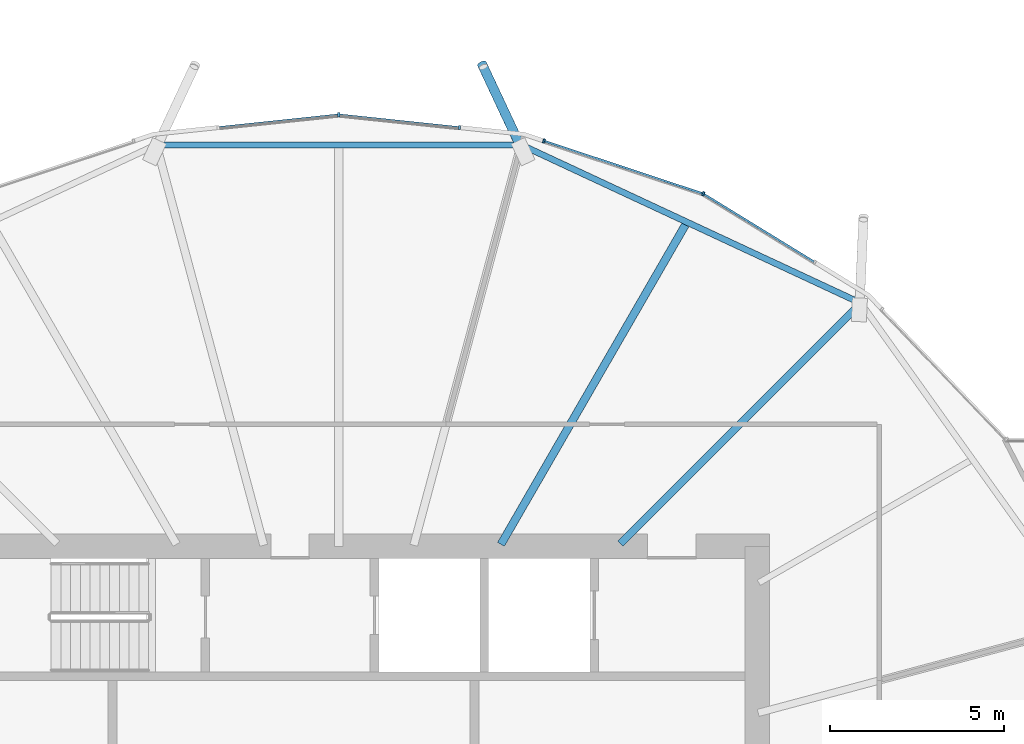
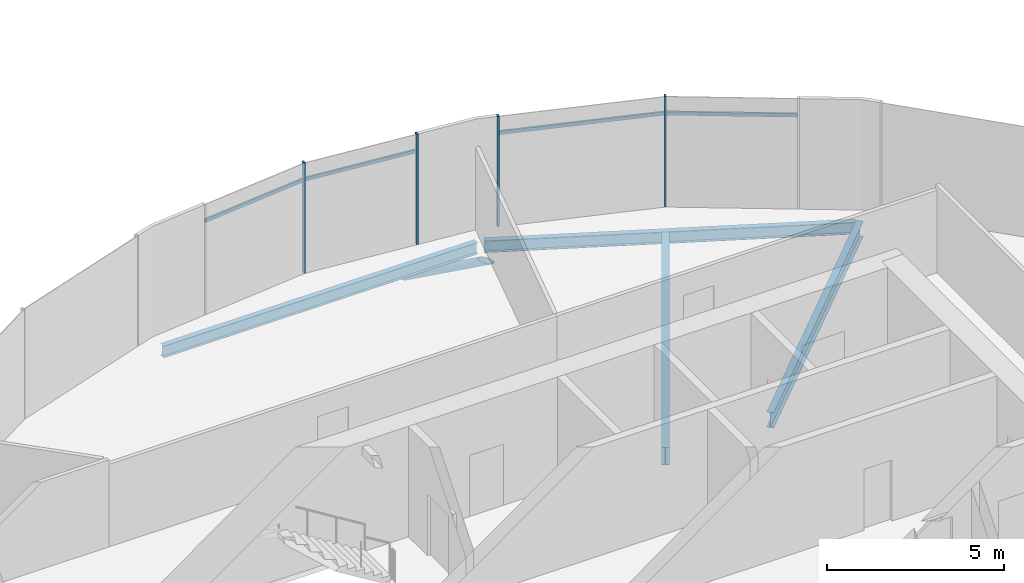
# One storey, part 10 of 39: 9 members, 4 beams, 1 element without a shape of its own.
"""IFC4 building model written with IfcOpenShell, lengths in metres."""

import ifcopenshell
import ifcopenshell.guid

model = None  # the IFC model being written
_history = None  # IfcOwnerHistory: only IFC2X3 demands one
_inside = {}  # id of a spatial element -> (the spatial element, [elements in it])
_under = {}  # id of a project, library or spatial element -> (it, [spatial elements below it])
_declared = {}  # id of a project -> (the project, [libraries it declares])
_typed = {}  # id of a type object -> (the type object, [elements of that type])
_made_of = {}  # id of a material, layer set ... -> (it, [elements and type objects made of it])


def new_model(schema):
    """Start an empty IFC model of exactly this schema.

    Asked for "IFC4X3", IfcOpenShell would pick the latest addendum, in which some entities
    have other attributes; the version numbers below select the first issue.
    IFC2X3 requires an IfcOwnerHistory on every rooted entity: one is made here for all.
    """
    global model, _history
    if schema == "IFC4X3":
        model = ifcopenshell.file(schema_version=(4, 3, 0, 0))
    else:
        model = ifcopenshell.file(schema=schema)
    _inside.clear()
    _under.clear()
    _declared.clear()
    _typed.clear()
    _made_of.clear()
    _history = None
    if model.schema == "IFC2X3":
        org = make("IfcOrganization", Name="unknown")
        user = make(
            "IfcPersonAndOrganization",
            ThePerson=make("IfcPerson", FamilyName="unknown"),
            TheOrganization=org,
        )
        app = make(
            "IfcApplication",
            ApplicationDeveloper=org,
            Version="unknown",
            ApplicationFullName="unknown",
            ApplicationIdentifier="unknown",
        )
        _history = make(
            "IfcOwnerHistory",
            OwningUser=user,
            OwningApplication=app,
            ChangeAction="ADDED",
            CreationDate=0,
        )
    return model


def make(cls, **values):
    """One entity of the class cls with the attributes given. An attribute that is None is left unset."""
    return model.create_entity(
        cls, **{name: value for name, value in values.items() if value is not None}
    )


def rooted(cls, **values):
    """An entity with a GlobalId (a new one), such as an element, a storey or a relation."""
    return make(cls, GlobalId=ifcopenshell.guid.new(), OwnerHistory=_history, **values)


def si_unit(unit_type, name, prefix=None):
    """IfcSIUnit, for example si_unit("LENGTHUNIT", "METRE", prefix="MILLI")."""
    return make("IfcSIUnit", UnitType=unit_type, Prefix=prefix, Name=name)


def assignment(units):
    """IfcUnitAssignment: the units of a project."""
    return None if units is None else make("IfcUnitAssignment", Units=units)


def point(xyz):
    """IfcCartesianPoint."""
    return None if xyz is None else make("IfcCartesianPoint", Coordinates=xyz)


def direction(xyz):
    """IfcDirection."""
    return None if xyz is None else make("IfcDirection", DirectionRatios=xyz)


def frame(location, z_axis=None, x_axis=None):
    """IfcAxis2Placement3D, a coordinate frame: its origin and axes. An axis left out is left unset."""
    return make(
        "IfcAxis2Placement3D",
        Location=point(location),
        Axis=direction(z_axis),
        RefDirection=direction(x_axis),
    )


def frame_2d(location, x_axis=None):
    """IfcAxis2Placement2D, a coordinate frame in the plane: its origin and x axis."""
    return make(
        "IfcAxis2Placement2D", Location=point(location), RefDirection=direction(x_axis)
    )


def origin():
    """The frame at (0, 0, 0) with its axes left unset."""
    return frame((0.0, 0.0, 0.0))


def origin_2d():
    """The frame at (0, 0) in the plane with its x axis left unset."""
    return frame_2d((0.0, 0.0))


def place(relative_to, where):
    """IfcLocalPlacement: puts the frame where relative to a parent placement (None: the world)."""
    return make(
        "IfcLocalPlacement", PlacementRelTo=relative_to, RelativePlacement=where
    )


def context(
    kind, dimensions, precision=None, world=None, true_north=None, identifier=None
):
    """IfcGeometricRepresentationContext, for example the 3D "Model" context."""
    return make(
        "IfcGeometricRepresentationContext",
        ContextIdentifier=identifier,
        ContextType=kind,
        CoordinateSpaceDimension=dimensions,
        Precision=precision,
        WorldCoordinateSystem=world,
        TrueNorth=true_north,
    )


def subcontext(parent, identifier, kind, view, scale=None):
    """IfcGeometricRepresentationSubContext, for example "Body" below "Model"."""
    return make(
        "IfcGeometricRepresentationSubContext",
        ContextIdentifier=identifier,
        ContextType=kind,
        ParentContext=parent,
        TargetScale=scale,
        TargetView=view,
    )


def project(units=None, contexts=None):
    """IfcProject with its units and contexts."""
    return rooted(
        "IfcProject",
        Name="project",
        RepresentationContexts=contexts,
        UnitsInContext=assignment(units),
    )


def spatial(cls, under=None, at=None, **own):
    """A site, building, storey or space (cls), placed at a placement, below another one or the project."""
    s = rooted(cls, ObjectPlacement=at, **own)
    if under is not None:
        _under.setdefault(under.id(), (under, []))[1].append(s)
    return s


def profile(cls, at=None, kind="AREA", **sizes):
    """A parametric profile (cls). Its sizes go by their IFC names, for example OverallWidth=200.0."""
    return make(cls, ProfileType=kind, Position=at, **sizes)


def rectangle(**sizes):
    """IfcRectangleProfileDef."""
    return profile("IfcRectangleProfileDef", **sizes)


def hollow_circle(**sizes):
    """IfcCircleHollowProfileDef."""
    return profile("IfcCircleHollowProfileDef", **sizes)


def i_section(**sizes):
    """IfcIShapeProfileDef."""
    return profile("IfcIShapeProfileDef", **sizes)


def extrude(swept, where, along, depth):
    """IfcExtrudedAreaSolid: the profile swept, set in the frame where, extruded along a direction by depth."""
    return make(
        "IfcExtrudedAreaSolid",
        SweptArea=swept,
        Position=where,
        ExtrudedDirection=direction(along),
        Depth=depth,
    )


def clip(a, b, op="DIFFERENCE"):
    """IfcBooleanClippingResult: the solid a cut by the half space b."""
    return make(
        "IfcBooleanClippingResult", Operator=op, FirstOperand=a, SecondOperand=b
    )


def halfspace(plane, agree):
    """IfcHalfSpaceSolid: all space on one side of the plane z = 0 of the frame plane."""
    return make(
        "IfcHalfSpaceSolid",
        BaseSurface=make("IfcPlane", Position=plane),
        AgreementFlag=agree,
    )


def shape(context_of_items, identifier, shape_type, items):
    """IfcShapeRepresentation: the items that make up one representation, for example the "Body"."""
    return make(
        "IfcShapeRepresentation",
        ContextOfItems=context_of_items,
        RepresentationIdentifier=identifier,
        RepresentationType=shape_type,
        Items=items,
    )


def material(Name=None, Category=None):
    """IfcMaterial."""
    return make("IfcMaterial", Name=Name, Category=Category)


def material_profile(
    of_material, cross_section, Name=None, Category=None, Priority=None
):
    """IfcMaterialProfile: a cross section and its material."""
    return make(
        "IfcMaterialProfile",
        Name=Name,
        Material=of_material,
        Profile=cross_section,
        Priority=Priority,
        Category=Category,
    )


def profile_set(profiles, Name=None, composite=None):
    """IfcMaterialProfileSet."""
    return make(
        "IfcMaterialProfileSet",
        Name=Name,
        MaterialProfiles=profiles,
        CompositeProfile=composite,
    )


def made_of(thing, what):
    """Note that an element or type object is made of a material, layer set ...; save() writes the relation."""
    if what is not None:
        _made_of.setdefault(what.id(), (what, []))[1].append(thing)
    return thing


def type_object(cls, material=None, **own):
    """A type object (cls), such as IfcWallType, which elements share."""
    return made_of(rooted(cls, **own), material)


def element(
    cls,
    number,
    at=None,
    inside=None,
    cuts=None,
    type_object=None,
    material=None,
    context=None,
    identifier="Body",
    shape_type=None,
    held_by="IfcProductDefinitionShape",
    body=None,
    shapes=None,
    **own,
):
    """One element of the class cls, such as IfcWall. Its Tag is "e" and its number.

    at: its placement. inside: the storey or other place that contains it. cuts: it is an
    opening in that element (IfcRelVoidsElement). A single representation is given by context,
    identifier, shape_type and body (its items); several are given by shapes. held_by: the class
    of the entity that holds the representations. save() writes the other relations.
    """
    e = rooted(cls, Tag="e%d" % number, ObjectPlacement=at, **own)
    if body is not None:
        shapes = [shape(context, identifier, shape_type, body)]
    if shapes is not None:
        e.Representation = make(held_by, Representations=shapes)
    if inside is not None:
        _inside.setdefault(inside.id(), (inside, []))[1].append(e)
    if cuts is not None:
        rooted(
            "IfcRelVoidsElement", RelatingBuildingElement=cuts, RelatedOpeningElement=e
        )
    if type_object is not None:
        _typed.setdefault(type_object.id(), (type_object, []))[1].append(e)
    return made_of(e, material)


def aggregate(whole, parts):
    """IfcRelAggregates: a whole, such as a stair, and the parts it consists of."""
    return rooted("IfcRelAggregates", RelatingObject=whole, RelatedObjects=parts)


def save(model, path):
    """Write the relations noted so far, then the file.

    IfcRelAggregates (storeys below a building ...), IfcRelContainedInSpatialStructure (elements
    in a storey), IfcRelDefinesByType, IfcRelAssociatesMaterial and IfcRelDeclares: one each for
    every whole, place, type object, material and project.
    """
    for whole, parts in _under.values():
        aggregate(whole, parts)
    for where, things in _inside.values():
        rooted(
            "IfcRelContainedInSpatialStructure",
            RelatedElements=things,
            RelatingStructure=where,
        )
    for kind, things in _typed.values():
        rooted("IfcRelDefinesByType", RelatedObjects=things, RelatingType=kind)
    for what, things in _made_of.values():
        rooted("IfcRelAssociatesMaterial", RelatedObjects=things, RelatingMaterial=what)
    for by, libraries in _declared.values():
        rooted("IfcRelDeclares", RelatingContext=by, RelatedDefinitions=libraries)
    model.write(path)


model = new_model("IFC4")

# Units and contexts
model_context = context("Model", 3, precision=1e-05, world=origin(), true_north=direction((0.0, 1.0)))
body_context = subcontext(model_context, "Body", "Model", "MODEL_VIEW")
ifc_project = project(units=[si_unit("LENGTHUNIT", "METRE"), si_unit("AREAUNIT", "SQUARE_METRE"), si_unit("VOLUMEUNIT", "CUBIC_METRE"), si_unit("PLANEANGLEUNIT", "RADIAN"), si_unit("MASSUNIT", "GRAM", prefix="KILO")], contexts=[model_context])

# Site, building, storey
site_placement = place(None, origin())
site = spatial("IfcSite", under=ifc_project, at=site_placement, CompositionType="ELEMENT")
building_placement = place(site_placement, origin())
building = spatial("IfcBuilding", under=site, at=building_placement, Name="Rimbun Link Towers", CompositionType="ELEMENT")
storey_placement = place(building_placement, frame((0.0, 0.0, 143.0)))
storey = spatial("IfcBuildingStorey", under=building, at=storey_placement, Name="L34", CompositionType="ELEMENT", Elevation=143.0)

# Curtain wall, members
ifc_material_1 = material(Name="Aluminium 6063-T6 and low-iron glass", Category="aluminium")
curtain_wall_type = type_object("IfcCurtainWallType", Name="CW4 link block wall", PredefinedType="NOTDEFINED", material=ifc_material_1)
curtain_wall_placement = place(storey_placement, origin())
curtain_wall = element("IfcCurtainWall", 1, at=curtain_wall_placement, inside=storey, type_object=curtain_wall_type, Name="CW4 L34 T1", PredefinedType="NOTDEFINED")
ifc_material_2 = material(Name="Aluminium 6063-T6", Category="aluminium")
ifc_material_profile_1 = material_profile(ifc_material_2, rectangle(XDim=0.1201171875, YDim=0.06005859375, at=origin_2d()), Name="MULLION 60X120")
ifc_profile_set_1 = profile_set([ifc_material_profile_1], Name="Aluminium 6063-T6")
member_type_1 = type_object("IfcMemberType", Name="CW4 mullion 60X120", PredefinedType="MULLION", material=ifc_profile_set_1)
member_1_placement = place(storey_placement, frame((-21.29931640625, 18.11181640625, 0.0), z_axis=(0.0, 0.0, 1.0), x_axis=(0.421697332152, 0.906736654192, 0.0)))
member_1 = element("IfcMember", 2, at=member_1_placement, type_object=member_type_1, Name="CW4 mullion", PredefinedType="MULLION", context=body_context, shape_type="SweptSolid", body=[
    extrude(rectangle(XDim=0.1201171875, YDim=0.06005859375, at=origin_2d()), origin(), (0.0, 0.0, 1.0), 3.800048828125),
])
member_2_placement = place(storey_placement, frame((-25.867431640625, 19.626220703125, 0.0), z_axis=(0.0, 0.0, 1.0), x_axis=(0.314567961741, 0.949234953763, 0.0)))
member_2 = element("IfcMember", 3, at=member_2_placement, type_object=member_type_1, Name="CW4 mullion", PredefinedType="MULLION", context=body_context, shape_type="SweptSolid", body=[
    extrude(rectangle(XDim=0.1201171875, YDim=0.06005859375, at=origin_2d()), origin(), (0.0, 0.0, 1.0), 3.800048828125),
])
member_3_placement = place(storey_placement, frame((-31.75, 20.37548828125, 0.0), z_axis=(0.0, 0.0, 1.0), x_axis=(0.0, 1.0, 0.0)))
member_3 = element("IfcMember", 4, at=member_3_placement, type_object=member_type_1, Name="CW4 mullion", PredefinedType="MULLION", context=body_context, shape_type="SweptSolid", body=[
    extrude(rectangle(XDim=0.1201171875, YDim=0.06005859375, at=origin_2d()), origin(), (0.0, 0.0, 1.0), 3.800048828125),
])
member_4_placement = place(storey_placement, frame((-28.28955078125, 20.011474609375, 0.0), z_axis=(0.0, 0.0, 1.0), x_axis=(0.104745411125, 0.994499069305, 0.0)))
member_4 = element("IfcMember", 5, at=member_4_placement, type_object=member_type_1, Name="CW4 mullion", PredefinedType="MULLION", context=body_context, shape_type="SweptSolid", body=[
    extrude(rectangle(XDim=0.1201171875, YDim=0.06005859375, at=origin_2d()), origin(), (0.0, 0.0, 1.0), 3.800048828125),
])
ifc_material_3 = material(Name="Aluminium 6063-T6", Category="aluminium")
ifc_material_profile_2 = material_profile(ifc_material_3, rectangle(XDim=0.06005859375, YDim=0.1201171875, at=origin_2d()), Name="TRANSOM 60X120")
ifc_profile_set_2 = profile_set([ifc_material_profile_2], Name="Aluminium 6063-T6")
member_type_2 = type_object("IfcMemberType", Name="CW4 transom 60X120", PredefinedType="USERDEFINED", material=ifc_profile_set_2)
member_5_placement = place(storey_placement, frame((-21.2685546875, 18.09130859375, 3.199951171875), z_axis=(0.85218054514, -0.523247855691, 0.0), x_axis=(0.523247855691, 0.85218054514, 0.0)))
member_5 = element("IfcMember", 6, at=member_5_placement, type_object=member_type_2, Name="CW4 transom", ObjectType="TRANSOM", PredefinedType="USERDEFINED", context=body_context, shape_type="SweptSolid", body=[
    extrude(rectangle(XDim=0.06005859375, YDim=0.1201171875, at=origin_2d()), origin(), (0.0, 0.0, 1.0), 3.688720703125),
])
member_6_placement = place(storey_placement, frame((-25.839599609375, 19.614990234375, 3.199951171875), z_axis=(0.949232304469, -0.314575956093, 0.0), x_axis=(0.314575956093, 0.949232304469, 0.0)))
member_6 = element("IfcMember", 7, at=member_6_placement, type_object=member_type_2, Name="CW4 transom", ObjectType="TRANSOM", PredefinedType="USERDEFINED", context=body_context, shape_type="SweptSolid", body=[
    extrude(rectangle(XDim=0.06005859375, YDim=0.1201171875, at=origin_2d()), origin(), (0.0, 0.0, 1.0), 4.745849609375),
])
member_7_placement = place(storey_placement, frame((-31.714111328125, 20.3701171875, 3.199951171875), z_axis=(0.994502317074, -0.104714570785, 0.0), x_axis=(0.104714570785, 0.994502317074, 0.0)))
member_7 = element("IfcMember", 8, at=member_7_placement, type_object=member_type_2, Name="CW4 transom", ObjectType="TRANSOM", PredefinedType="USERDEFINED", context=body_context, shape_type="SweptSolid", body=[
    extrude(rectangle(XDim=0.06005859375, YDim=0.1201171875, at=origin_2d()), origin(), (0.0, 0.0, 1.0), 3.413330078125),
])
member_8_placement = place(storey_placement, frame((-35.180419921875, 20.0126953125, 3.199951171875), z_axis=(0.994502317074, 0.104714570785, 0.0), x_axis=(-0.104714570785, 0.994502317074, 0.0)))
member_8 = element("IfcMember", 9, at=member_8_placement, type_object=member_type_2, Name="CW4 transom", ObjectType="TRANSOM", PredefinedType="USERDEFINED", context=body_context, shape_type="SweptSolid", body=[
    extrude(rectangle(XDim=0.06005859375, YDim=0.1201171875, at=origin_2d()), origin(), (0.0, 0.0, 1.0), 3.413330078125),
])
aggregate(curtain_wall, [member_1, member_2, member_3, member_4, member_5, member_6, member_7, member_8])

# Member
ifc_material_4 = material(Name="Steel S355J2H", Category="steel")
ifc_material_profile_3 = material_profile(ifc_material_4, hollow_circle(Radius=0.136474609375, WallThickness=0.012451171875, at=origin_2d()), Name="CHS 273x12.5")
ifc_profile_set_3 = profile_set([ifc_material_profile_3], Name="Steel S355J2H")
member_type_3 = type_object("IfcMemberType", Name="Floor edge link CHS 273x12.5", PredefinedType="BRACE", material=ifc_profile_set_3)
member_9_placement = place(storey_placement, frame((-26.5341796875, 19.465087890625, -0.900146484375), z_axis=(-0.365492149956, 0.780301202382, -0.507489430315), x_axis=(-0.905581122198, -0.424173114563, 0.0)))
element("IfcMember", 10, at=member_9_placement, inside=storey, type_object=member_type_3, Name="Floor edge link T1 L34 05", PredefinedType="BRACE", context=body_context, shape_type="Clipping", body=[
    clip(extrude(hollow_circle(Radius=0.136474609375, WallThickness=0.012451171875, at=origin_2d()), frame((0.0, 0.0, -0.483154296875)), (0.0, 0.0, 1.0), 3.517822265625), halfspace(frame((0.0, 0.0, -0.227783203125), z_axis=(0.0, 0.861657982101, -0.507489430315)), False)),
])

# Beams
ifc_material_5 = material(Name="Steel S355J2", Category="steel")
ifc_material_profile_4 = material_profile(ifc_material_5, i_section(OverallWidth=0.177978515625, OverallDepth=0.406494140625, WebThickness=0.0078125, FlangeThickness=0.0126953125, at=origin_2d()), Name="UB 406x178x60")
ifc_profile_set_4 = profile_set([ifc_material_profile_4], Name="Steel S355J2")
beam_type_1 = type_object("IfcBeamType", Name="UB 406x178x60", PredefinedType="BEAM", material=ifc_profile_set_4)
beam_1_placement = place(storey_placement, frame((-16.87939453125, 15.02001953125, -0.38330078125), z_axis=(-0.906400585734, 0.422419197222, 0.0), x_axis=(-0.422419197222, -0.906400585734, 0.0)))
element("IfcBeam", 11, at=beam_1_placement, inside=storey, type_object=beam_type_1, Name="Edge beam T1 L34 03-05", PredefinedType="BEAM", context=body_context, shape_type="SweptSolid", body=[
    extrude(i_section(OverallWidth=0.177978515625, OverallDepth=0.406494140625, WebThickness=0.0078125, FlangeThickness=0.0126953125, at=origin_2d()), origin(), (0.0, 0.0, 1.0), 10.521240234375),
])
beam_2_placement = place(storey_placement, frame((-26.64013671875, 19.513427734375, -0.38330078125), z_axis=(-1.0, 0.0, 0.0), x_axis=(0.0, -1.0, 0.0)))
element("IfcBeam", 12, at=beam_2_placement, inside=storey, type_object=beam_type_1, Name="Edge beam T1 L34 05-07", PredefinedType="BEAM", context=body_context, shape_type="SweptSolid", body=[
    extrude(i_section(OverallWidth=0.177978515625, OverallDepth=0.406494140625, WebThickness=0.0078125, FlangeThickness=0.0126953125, at=origin_2d()), origin(), (0.0, 0.0, 1.0), 10.2197265625),
])
ifc_material_6 = material(Name="Steel S355J2", Category="steel")
ifc_material_profile_5 = material_profile(ifc_material_6, i_section(OverallWidth=0.209228515625, OverallDepth=0.533203125, WebThickness=0.010009765625, FlangeThickness=0.015625, at=origin_2d()), Name="UB 533x210x92")
ifc_profile_set_5 = profile_set([ifc_material_profile_5], Name="Steel S355J2")
beam_type_2 = type_object("IfcBeamType", Name="UB 533x210x92", PredefinedType="BEAM", material=ifc_profile_set_5)
beam_3_placement = place(storey_placement, frame((-23.67529296875, 8.07470703125, -0.446533203125), z_axis=(0.707106781187, 0.707106781187, 0.0), x_axis=(-0.707106781187, 0.707106781187, 0.0)))
element("IfcBeam", 13, at=beam_3_placement, inside=storey, type_object=beam_type_2, Name="Radial beam T1 L34 03", PredefinedType="BEAM", context=body_context, shape_type="SweptSolid", body=[
    extrude(i_section(OverallWidth=0.209228515625, OverallDepth=0.533203125, WebThickness=0.010009765625, FlangeThickness=0.015625, at=origin_2d()), origin(), (0.0, 0.0, 1.0), 9.7548828125),
])
ifc_material_7 = material(Name="Steel S355J2", Category="steel")
ifc_material_profile_6 = material_profile(ifc_material_7, i_section(OverallWidth=0.2275390625, OverallDepth=0.6025390625, WebThickness=0.010498046875, FlangeThickness=0.014892578125, at=origin_2d()), Name="UB 610x229x101")
ifc_profile_set_6 = profile_set([ifc_material_profile_6], Name="Steel S355J2")
beam_type_3 = type_object("IfcBeamType", Name="UB 610x229x101", PredefinedType="BEAM", material=ifc_profile_set_6)
beam_4_placement = place(storey_placement, frame((-27.097900390625, 8.057861328125, -0.481201171875), z_axis=(0.500014158692, 0.866017229106, 0.0), x_axis=(-0.866017229106, 0.500014158692, 0.0)))
element("IfcBeam", 14, at=beam_4_placement, inside=storey, type_object=beam_type_3, Name="Radial beam T1 L34 04", PredefinedType="BEAM", context=body_context, shape_type="SweptSolid", body=[
    extrude(i_section(OverallWidth=0.2275390625, OverallDepth=0.6025390625, WebThickness=0.010498046875, FlangeThickness=0.014892578125, at=origin_2d()), origin(), (0.0, 0.0, 1.0), 10.577392578125),
])

save(model, "model.ifc")
